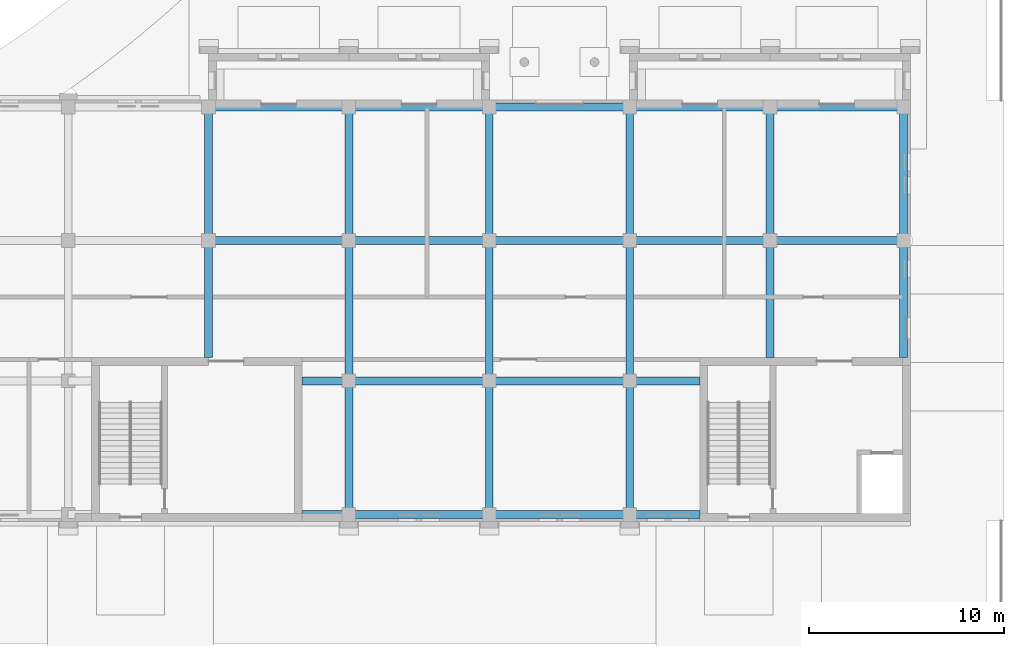
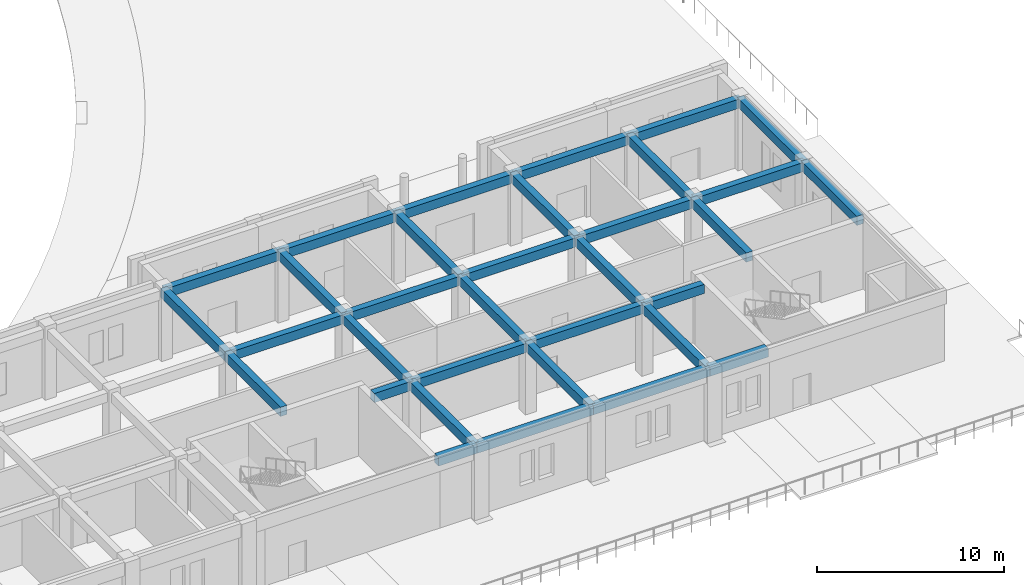
# One storey, part 50 of 131: 33 beams.
"""IFC4 building model written with IfcOpenShell, lengths in metres."""

from ifc_helpers import new_model, si_unit, direction, frame, origin, origin_2d, place, context, subcontext, project, spatial, rectangle, extrude, material, material_profile, profile_set, type_object, element, save


model = new_model("IFC4")

# Units and contexts
model_context = context("Model", 3, precision=1e-05, world=origin(), true_north=direction((0.0, 1.0)))
body_context = subcontext(model_context, "Body", "Model", "MODEL_VIEW")
ifc_project = project(units=[si_unit("LENGTHUNIT", "METRE"), si_unit("AREAUNIT", "SQUARE_METRE"), si_unit("VOLUMEUNIT", "CUBIC_METRE"), si_unit("PLANEANGLEUNIT", "RADIAN"), si_unit("MASSUNIT", "GRAM", prefix="KILO")], contexts=[model_context])

# Site, building, storey
site_placement = place(None, origin())
site = spatial("IfcSite", under=ifc_project, at=site_placement, CompositionType="ELEMENT")
building_placement = place(site_placement, origin())
building = spatial("IfcBuilding", under=site, at=building_placement, Name="Alderwick Market Hall", CompositionType="ELEMENT")
storey_placement = place(building_placement, frame((0.0, 0.0, 4.800048828125)))
storey = spatial("IfcBuildingStorey", under=building, at=storey_placement, Name="L00", CompositionType="ELEMENT", Elevation=4.800048828125)

# Beams
ifc_material = material(Name="Concrete 5000 psi (f'c 35 MPa)", Category="concrete")
ifc_material_profile = material_profile(ifc_material, rectangle(XDim=0.39990234375, YDim=0.60009765625, at=origin_2d()), Name="RC 400x600")
ifc_profile_set = profile_set([ifc_material_profile], Name="Concrete 5000 psi (f'c 35 MPa)")
beam_type = type_object("IfcBeamType", Name="C Floor Beam RC 400x600", PredefinedType="BEAM", material=ifc_profile_set)
beam_1_placement = place(storey_placement, frame((194.39990234375, 28.449951171875, 4.25), z_axis=(1.0, 0.0, 0.0), x_axis=(0.0, 1.0, 0.0)))
element("IfcBeam", 1, at=beam_1_placement, inside=storey, type_object=beam_type, Name="C.beam.L00.006", PredefinedType="BEAM", context=body_context, shape_type="SweptSolid", body=[
    extrude(rectangle(XDim=0.39990234375, YDim=0.60009765625, at=origin_2d()), origin(), (0.0, 0.0, 1.0), 7.2001953125),
])
for number, where, z_axis, x_axis, name in (
    (2, (201.60009765625, 28.449951171875, 4.25), (1.0, 0.0, 0.0), (0.0, 1.0, 0.0), "C.beam.L00.007"),
    (3, (208.800048828125, 28.449951171875, 4.25), (1.0, 0.0, 0.0), (0.0, 1.0, 0.0), "C.beam.L00.008"),
    (4, (216.0, 28.449951171875, 4.25), (1.0, 0.0, 0.0), (0.0, 1.0, 0.0), "C.beam.L00.009"),
):
    element("IfcBeam", number, at=place(storey_placement, frame(where, z_axis=z_axis, x_axis=x_axis)), inside=storey, type_object=beam_type, Name=name, PredefinedType="BEAM", context=body_context, shape_type="SweptSolid", body=[
        extrude(rectangle(XDim=0.39990234375, YDim=0.60009765625, at=origin_2d()), origin(), (0.0, 0.0, 1.0), 7.199951171875),
    ])
beam_2_placement = place(storey_placement, frame((223.199951171875, 28.449951171875, 4.25), z_axis=(1.0, 0.0, 0.0), x_axis=(0.0, 1.0, 0.0)))
element("IfcBeam", 5, at=beam_2_placement, inside=storey, type_object=beam_type, Name="C.beam.L00.010", PredefinedType="BEAM", context=body_context, shape_type="SweptSolid", body=[
    extrude(rectangle(XDim=0.39990234375, YDim=0.60009765625, at=origin_2d()), origin(), (0.0, 0.0, 1.0), 6.85009765625),
])
beam_3_placement = place(storey_placement, frame((194.39990234375, 21.60009765625, 4.25), z_axis=(1.0, 0.0, 0.0), x_axis=(0.0, 1.0, 0.0)))
element("IfcBeam", 6, at=beam_3_placement, inside=storey, type_object=beam_type, Name="C.beam.L00.016", PredefinedType="BEAM", context=body_context, shape_type="SweptSolid", body=[
    extrude(rectangle(XDim=0.39990234375, YDim=0.60009765625, at=origin_2d()), origin(), (0.0, 0.0, 1.0), 7.2001953125),
])
for number, where, z_axis, x_axis, name in (
    (7, (201.60009765625, 21.60009765625, 4.25), (1.0, 0.0, 0.0), (0.0, 1.0, 0.0), "C.beam.L00.017"),
    (8, (208.800048828125, 21.60009765625, 4.25), (1.0, 0.0, 0.0), (0.0, 1.0, 0.0), "C.beam.L00.018"),
    (9, (216.0, 21.60009765625, 4.25), (1.0, 0.0, 0.0), (0.0, 1.0, 0.0), "C.beam.L00.019"),
):
    element("IfcBeam", number, at=place(storey_placement, frame(where, z_axis=z_axis, x_axis=x_axis)), inside=storey, type_object=beam_type, Name=name, PredefinedType="BEAM", context=body_context, shape_type="SweptSolid", body=[
        extrude(rectangle(XDim=0.39990234375, YDim=0.60009765625, at=origin_2d()), origin(), (0.0, 0.0, 1.0), 7.199951171875),
    ])
beam_4_placement = place(storey_placement, frame((223.199951171875, 21.60009765625, 4.25), z_axis=(1.0, 0.0, 0.0), x_axis=(0.0, 1.0, 0.0)))
element("IfcBeam", 10, at=beam_4_placement, inside=storey, type_object=beam_type, Name="C.beam.L00.020", PredefinedType="BEAM", context=body_context, shape_type="SweptSolid", body=[
    extrude(rectangle(XDim=0.39990234375, YDim=0.60009765625, at=origin_2d()), origin(), (0.0, 0.0, 1.0), 6.85009765625),
])
beam_5_placement = place(storey_placement, frame((199.198974609375, 14.39990234375, 4.25), z_axis=(1.0, 0.0, 0.0), x_axis=(0.0, 1.0, 0.0)))
element("IfcBeam", 11, at=beam_5_placement, inside=storey, type_object=beam_type, Name="C.beam.L00.025", PredefinedType="BEAM", context=body_context, shape_type="SweptSolid", body=[
    extrude(rectangle(XDim=0.39990234375, YDim=0.60009765625, at=origin_2d()), origin(), (0.0, 0.0, 1.0), 2.401123046875),
])
for number, where, z_axis, x_axis, name in (
    (12, (201.60009765625, 14.39990234375, 4.25), (1.0, 0.0, 0.0), (0.0, 1.0, 0.0), "C.beam.L00.026"),
    (13, (208.800048828125, 14.39990234375, 4.25), (1.0, 0.0, 0.0), (0.0, 1.0, 0.0), "C.beam.L00.027"),
):
    element("IfcBeam", number, at=place(storey_placement, frame(where, z_axis=z_axis, x_axis=x_axis)), inside=storey, type_object=beam_type, Name=name, PredefinedType="BEAM", context=body_context, shape_type="SweptSolid", body=[
        extrude(rectangle(XDim=0.39990234375, YDim=0.60009765625, at=origin_2d()), origin(), (0.0, 0.0, 1.0), 7.199951171875),
    ])
beam_6_placement = place(storey_placement, frame((216.0, 14.39990234375, 4.25), z_axis=(1.0, 0.0, 0.0), x_axis=(0.0, 1.0, 0.0)))
element("IfcBeam", 14, at=beam_6_placement, inside=storey, type_object=beam_type, Name="C.beam.L00.028", PredefinedType="BEAM", context=body_context, shape_type="SweptSolid", body=[
    extrude(rectangle(XDim=0.39990234375, YDim=0.60009765625, at=origin_2d()), origin(), (0.0, 0.0, 1.0), 3.60107421875),
])
beam_7_placement = place(storey_placement, frame((199.198974609375, 7.550048828125, 4.25), z_axis=(1.0, 0.0, 0.0), x_axis=(0.0, 1.0, 0.0)))
element("IfcBeam", 15, at=beam_7_placement, inside=storey, type_object=beam_type, Name="C.beam.L00.033", PredefinedType="BEAM", context=body_context, shape_type="SweptSolid", body=[
    extrude(rectangle(XDim=0.39990234375, YDim=0.60009765625, at=origin_2d()), origin(), (0.0, 0.0, 1.0), 2.401123046875),
])
for number, where, z_axis, x_axis, name in (
    (16, (201.60009765625, 7.550048828125, 4.25), (1.0, 0.0, 0.0), (0.0, 1.0, 0.0), "C.beam.L00.034"),
    (17, (208.800048828125, 7.550048828125, 4.25), (1.0, 0.0, 0.0), (0.0, 1.0, 0.0), "C.beam.L00.035"),
):
    element("IfcBeam", number, at=place(storey_placement, frame(where, z_axis=z_axis, x_axis=x_axis)), inside=storey, type_object=beam_type, Name=name, PredefinedType="BEAM", context=body_context, shape_type="SweptSolid", body=[
        extrude(rectangle(XDim=0.39990234375, YDim=0.60009765625, at=origin_2d()), origin(), (0.0, 0.0, 1.0), 7.199951171875),
    ])
beam_8_placement = place(storey_placement, frame((216.0, 7.550048828125, 4.25), z_axis=(1.0, 0.0, 0.0), x_axis=(0.0, 1.0, 0.0)))
element("IfcBeam", 18, at=beam_8_placement, inside=storey, type_object=beam_type, Name="C.beam.L00.036", PredefinedType="BEAM", context=body_context, shape_type="SweptSolid", body=[
    extrude(rectangle(XDim=0.39990234375, YDim=0.60009765625, at=origin_2d()), origin(), (0.0, 0.0, 1.0), 3.60107421875),
])
beam_9_placement = place(storey_placement, frame((194.39990234375, 28.449951171875, 4.25), z_axis=(0.0, -1.0, 0.0), x_axis=(1.0, 0.0, 0.0)))
element("IfcBeam", 19, at=beam_9_placement, inside=storey, type_object=beam_type, Name="C.beam.L00.050", PredefinedType="BEAM", context=body_context, shape_type="SweptSolid", body=[
    extrude(rectangle(XDim=0.39990234375, YDim=0.60009765625, at=origin_2d()), origin(), (0.0, 0.0, 1.0), 6.849853515625),
])
beam_10_placement = place(storey_placement, frame((194.39990234375, 21.60009765625, 4.25), z_axis=(0.0, -1.0, 0.0), x_axis=(1.0, 0.0, 0.0)))
element("IfcBeam", 20, at=beam_10_placement, inside=storey, type_object=beam_type, Name="C.beam.L00.051", PredefinedType="BEAM", context=body_context, shape_type="SweptSolid", body=[
    extrude(rectangle(XDim=0.39990234375, YDim=0.60009765625, at=origin_2d()), origin(), (0.0, 0.0, 1.0), 6.0009765625),
])
beam_11_placement = place(storey_placement, frame((201.60009765625, 28.449951171875, 4.25), z_axis=(0.0, -1.0, 0.0), x_axis=(1.0, 0.0, 0.0)))
element("IfcBeam", 21, at=beam_11_placement, inside=storey, type_object=beam_type, Name="C.beam.L00.052", PredefinedType="BEAM", context=body_context, shape_type="SweptSolid", body=[
    extrude(rectangle(XDim=0.39990234375, YDim=0.60009765625, at=origin_2d()), origin(), (0.0, 0.0, 1.0), 6.849853515625),
])
beam_12_placement = place(storey_placement, frame((201.60009765625, 21.60009765625, 4.25), z_axis=(0.0, -1.0, 0.0), x_axis=(1.0, 0.0, 0.0)))
element("IfcBeam", 22, at=beam_12_placement, inside=storey, type_object=beam_type, Name="C.beam.L00.053", PredefinedType="BEAM", context=body_context, shape_type="SweptSolid", body=[
    extrude(rectangle(XDim=0.39990234375, YDim=0.60009765625, at=origin_2d()), origin(), (0.0, 0.0, 1.0), 7.2001953125),
])
for number, where, z_axis, x_axis, name in (
    (23, (201.60009765625, 14.39990234375, 4.25), (0.0, -1.0, 0.0), (1.0, 0.0, 0.0), "C.beam.L00.054"),
    (24, (208.800048828125, 28.449951171875, 4.25), (0.0, -1.0, 0.0), (1.0, 0.0, 0.0), "C.beam.L00.055"),
):
    element("IfcBeam", number, at=place(storey_placement, frame(where, z_axis=z_axis, x_axis=x_axis)), inside=storey, type_object=beam_type, Name=name, PredefinedType="BEAM", context=body_context, shape_type="SweptSolid", body=[
        extrude(rectangle(XDim=0.39990234375, YDim=0.60009765625, at=origin_2d()), origin(), (0.0, 0.0, 1.0), 6.849853515625),
    ])
beam_13_placement = place(storey_placement, frame((208.800048828125, 21.60009765625, 4.25), z_axis=(0.0, -1.0, 0.0), x_axis=(1.0, 0.0, 0.0)))
element("IfcBeam", 25, at=beam_13_placement, inside=storey, type_object=beam_type, Name="C.beam.L00.056", PredefinedType="BEAM", context=body_context, shape_type="SweptSolid", body=[
    extrude(rectangle(XDim=0.39990234375, YDim=0.60009765625, at=origin_2d()), origin(), (0.0, 0.0, 1.0), 7.2001953125),
])
for number, where, z_axis, x_axis, name in (
    (26, (208.800048828125, 14.39990234375, 4.25), (0.0, -1.0, 0.0), (1.0, 0.0, 0.0), "C.beam.L00.057"),
    (27, (216.0, 28.449951171875, 4.25), (0.0, -1.0, 0.0), (1.0, 0.0, 0.0), "C.beam.L00.058"),
):
    element("IfcBeam", number, at=place(storey_placement, frame(where, z_axis=z_axis, x_axis=x_axis)), inside=storey, type_object=beam_type, Name=name, PredefinedType="BEAM", context=body_context, shape_type="SweptSolid", body=[
        extrude(rectangle(XDim=0.39990234375, YDim=0.60009765625, at=origin_2d()), origin(), (0.0, 0.0, 1.0), 6.849853515625),
    ])
beam_14_placement = place(storey_placement, frame((216.0, 21.60009765625, 4.25), z_axis=(0.0, -1.0, 0.0), x_axis=(1.0, 0.0, 0.0)))
element("IfcBeam", 28, at=beam_14_placement, inside=storey, type_object=beam_type, Name="C.beam.L00.059", PredefinedType="BEAM", context=body_context, shape_type="SweptSolid", body=[
    extrude(rectangle(XDim=0.39990234375, YDim=0.60009765625, at=origin_2d()), origin(), (0.0, 0.0, 1.0), 7.2001953125),
])
for number, where, z_axis, x_axis, name in (
    (29, (216.0, 14.39990234375, 4.25), (0.0, -1.0, 0.0), (1.0, 0.0, 0.0), "C.beam.L00.060"),
    (30, (223.199951171875, 28.449951171875, 4.25), (0.0, -1.0, 0.0), (1.0, 0.0, 0.0), "C.beam.L00.061"),
):
    element("IfcBeam", number, at=place(storey_placement, frame(where, z_axis=z_axis, x_axis=x_axis)), inside=storey, type_object=beam_type, Name=name, PredefinedType="BEAM", context=body_context, shape_type="SweptSolid", body=[
        extrude(rectangle(XDim=0.39990234375, YDim=0.60009765625, at=origin_2d()), origin(), (0.0, 0.0, 1.0), 6.849853515625),
    ])
beam_15_placement = place(storey_placement, frame((223.199951171875, 21.60009765625, 4.25), z_axis=(0.0, -1.0, 0.0), x_axis=(1.0, 0.0, 0.0)))
element("IfcBeam", 31, at=beam_15_placement, inside=storey, type_object=beam_type, Name="C.beam.L00.062", PredefinedType="BEAM", context=body_context, shape_type="SweptSolid", body=[
    extrude(rectangle(XDim=0.39990234375, YDim=0.60009765625, at=origin_2d()), origin(), (0.0, 0.0, 1.0), 6.0009765625),
])
beam_16_placement = place(storey_placement, frame((230.050048828125, 28.449951171875, 4.25), z_axis=(0.0, -1.0, 0.0), x_axis=(1.0, 0.0, 0.0)))
element("IfcBeam", 32, at=beam_16_placement, inside=storey, type_object=beam_type, Name="C.beam.L00.063", PredefinedType="BEAM", context=body_context, shape_type="SweptSolid", body=[
    extrude(rectangle(XDim=0.39990234375, YDim=0.60009765625, at=origin_2d()), origin(), (0.0, 0.0, 1.0), 6.849853515625),
])
beam_17_placement = place(storey_placement, frame((230.050048828125, 21.60009765625, 4.25), z_axis=(0.0, -1.0, 0.0), x_axis=(1.0, 0.0, 0.0)))
element("IfcBeam", 33, at=beam_17_placement, inside=storey, type_object=beam_type, Name="C.beam.L00.064", PredefinedType="BEAM", context=body_context, shape_type="SweptSolid", body=[
    extrude(rectangle(XDim=0.39990234375, YDim=0.60009765625, at=origin_2d()), origin(), (0.0, 0.0, 1.0), 6.0009765625),
])

save(model, "model.ifc")
